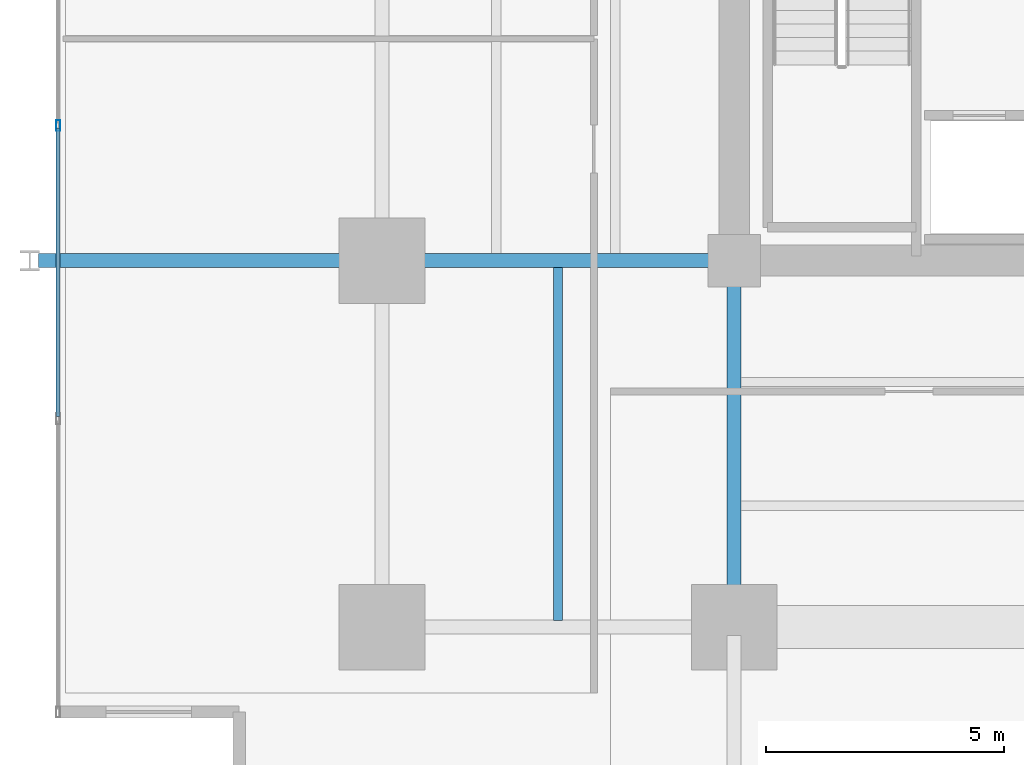
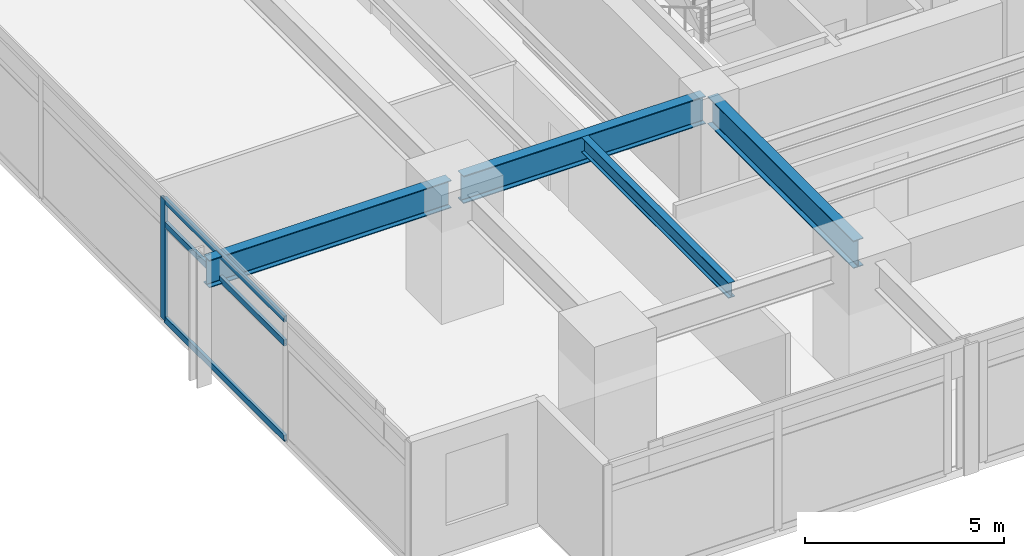
# One storey, part 3 of 20: 4 beams, 4 members, 1 element without a shape of its own.
"""IFC4 building model written with IfcOpenShell, lengths in metres."""

from ifc_helpers import new_model, si_unit, direction, frame, origin, origin_2d, place, context, subcontext, project, spatial, hollow_rectangle, i_section, extrude, material, material_profile, profile_set, type_object, element, aggregate, save


model = new_model("IFC4")

# Units and contexts
model_context = context("Model", 3, precision=1e-05, world=origin(), true_north=direction((0.0, 1.0)))
body_context = subcontext(model_context, "Body", "Model", "MODEL_VIEW")
ifc_project = project(units=[si_unit("LENGTHUNIT", "METRE"), si_unit("AREAUNIT", "SQUARE_METRE"), si_unit("VOLUMEUNIT", "CUBIC_METRE"), si_unit("PLANEANGLEUNIT", "RADIAN"), si_unit("MASSUNIT", "GRAM", prefix="KILO")], contexts=[model_context])

# Site, building, storey
site_placement = place(None, origin())
site = spatial("IfcSite", under=ifc_project, at=site_placement, CompositionType="ELEMENT")
building_placement = place(site_placement, origin())
building = spatial("IfcBuilding", under=site, at=building_placement, Name="Kovane Verandah Tower", CompositionType="ELEMENT")
storey_placement = place(building_placement, frame((0.0, 0.0, 39.60009765625)))
storey = spatial("IfcBuildingStorey", under=building, at=storey_placement, Name="L08", CompositionType="ELEMENT", Elevation=39.60009765625)

# Beams
ifc_material_1 = material(Name="Steel S355", Category="steel")
ifc_material_profile_1 = material_profile(ifc_material_1, i_section(OverallWidth=0.293701171875, OverallDepth=0.850830078125, WebThickness=0.01611328125, FlangeThickness=0.02685546875, FilletRadius=0.017822265625, at=origin_2d()), Name="UB838x292x226")
ifc_profile_set_1 = profile_set([ifc_material_profile_1], Name="Steel S355")
beam_type_1 = type_object("IfcBeamType", Name="BM-UB838x226", PredefinedType="BEAM", material=ifc_profile_set_1)
beam_1_placement = place(storey_placement, frame((28.820068359375, 18.5, 3.33447265625), z_axis=(-1.0, 0.0, 0.0), x_axis=(0.0, -1.0, 0.0)))
element("IfcBeam", 1, at=beam_1_placement, inside=storey, type_object=beam_type_1, Name="L08 Primary Tower Girder G-W1", PredefinedType="BEAM", context=body_context, shape_type="SweptSolid", body=[
    extrude(i_section(OverallWidth=0.293701171875, OverallDepth=0.850830078125, WebThickness=0.01611328125, FlangeThickness=0.02685546875, FilletRadius=0.017822265625, at=origin_2d()), origin(), (0.0, 0.0, 1.0), 7.0400390625),
])
beam_2_placement = place(storey_placement, frame((29.0, 18.320068359375, 3.33447265625), z_axis=(0.0, -1.0, 0.0), x_axis=(1.0, 0.0, 0.0)))
element("IfcBeam", 2, at=beam_2_placement, inside=storey, type_object=beam_type_1, Name="L08 Primary Tower Girder G-S1", PredefinedType="BEAM", context=body_context, shape_type="SweptSolid", body=[
    extrude(i_section(OverallWidth=0.293701171875, OverallDepth=0.850830078125, WebThickness=0.01611328125, FlangeThickness=0.02685546875, FilletRadius=0.017822265625, at=origin_2d()), origin(), (0.0, 0.0, 1.0), 7.340087890625),
])
beam_3_placement = place(storey_placement, frame((21.419921875, 18.5, 3.33447265625), z_axis=(-1.0, 0.0, 0.0), x_axis=(0.0, -1.0, 0.0)))
element("IfcBeam", 3, at=beam_3_placement, inside=storey, type_object=beam_type_1, Name="L08 Primary Tower Girder G-VW1", PredefinedType="BEAM", context=body_context, shape_type="SweptSolid", body=[
    extrude(i_section(OverallWidth=0.293701171875, OverallDepth=0.850830078125, WebThickness=0.01611328125, FlangeThickness=0.02685546875, FilletRadius=0.017822265625, at=origin_2d()), origin(), (0.0, 0.0, 1.0), 7.0400390625),
])

# Curtain wall, members
ifc_material_2 = material(Name="Champagne Anodised Aluminium Frame with Low-E Clear Laminated Glass", Category="aluminium")
curtain_wall_type = type_object("IfcCurtainWallType", Name="CW-SYS-02-LOW", PredefinedType="NOTDEFINED", material=ifc_material_2)
curtain_wall_placement = place(storey_placement, origin())
curtain_wall = element("IfcCurtainWall", 4, at=curtain_wall_placement, inside=storey, type_object=curtain_wall_type, Name="L08 W Unitised Curtain Wall", PredefinedType="NOTDEFINED")
ifc_material_3 = material(Name="Champagne Anodised Aluminium 6063-T6", Category="aluminium")
ifc_material_profile_2 = material_profile(ifc_material_3, hollow_rectangle(XDim=0.0849609375, YDim=0.22998046875, WallThickness=0.00390625, at=origin_2d()), Name="AL85x230x4")
ifc_profile_set_2 = profile_set([ifc_material_profile_2], Name="Champagne Anodised Aluminium 6063-T6")
member_type_1 = type_object("IfcMemberType", Name="CW-MUL-85x230", PredefinedType="MULLION", material=ifc_profile_set_2)
member_1_placement = place(storey_placement, frame((14.796875, 21.33935546875, 0.02001953125), z_axis=(0.0, 0.0, 1.0), x_axis=(-1.0, 0.0, 0.0)))
member_1 = element("IfcMember", 5, at=member_1_placement, type_object=member_type_1, Name="L08 W Unitised Curtain Wall Mullion 5", PredefinedType="MULLION", context=body_context, shape_type="SweptSolid", body=[
    extrude(hollow_rectangle(XDim=0.0849609375, YDim=0.22998046875, WallThickness=0.00390625, at=origin_2d()), origin(), (0.0, 0.0, 1.0), 3.719970703125),
])
ifc_material_profile_3 = material_profile(ifc_material_3, hollow_rectangle(XDim=0.0849609375, YDim=0.18994140625, WallThickness=0.00390625, at=origin_2d()), Name="AL85x190x4")
ifc_profile_set_3 = profile_set([ifc_material_profile_3], Name="Champagne Anodised Aluminium 6063-T6")
member_type_2 = type_object("IfcMemberType", Name="CW-TRN-85x190", PredefinedType="USERDEFINED", material=ifc_profile_set_3)
member_2_placement = place(storey_placement, frame((14.796875, 21.289306640625, 0.0498046875), z_axis=(0.0, -1.0, 0.0), x_axis=(1.0, 0.0, 0.0)))
member_2 = element("IfcMember", 6, at=member_2_placement, type_object=member_type_2, Name="L08 W Unitised Curtain Wall Transom TB Bay 5", ObjectType="TRANSOM", PredefinedType="USERDEFINED", context=body_context, shape_type="SweptSolid", body=[
    extrude(hollow_rectangle(XDim=0.0849609375, YDim=0.18994140625, WallThickness=0.00390625, at=origin_2d()), origin(), (0.0, 0.0, 1.0), 6.060791015625),
])
member_3_placement = place(storey_placement, frame((14.796875, 21.289306640625, 2.97998046875), z_axis=(0.0, -1.0, 0.0), x_axis=(1.0, 0.0, 0.0)))
member_3 = element("IfcMember", 7, at=member_3_placement, type_object=member_type_2, Name="L08 W Unitised Curtain Wall Transom TM Bay 5", ObjectType="TRANSOM", PredefinedType="USERDEFINED", context=body_context, shape_type="SweptSolid", body=[
    extrude(hollow_rectangle(XDim=0.0849609375, YDim=0.18994140625, WallThickness=0.00390625, at=origin_2d()), origin(), (0.0, 0.0, 1.0), 6.060791015625),
])
member_4_placement = place(storey_placement, frame((14.796875, 21.289306640625, 3.7099609375), z_axis=(0.0, -1.0, 0.0), x_axis=(1.0, 0.0, 0.0)))
member_4 = element("IfcMember", 8, at=member_4_placement, type_object=member_type_2, Name="L08 W Unitised Curtain Wall Transom TT Bay 5", ObjectType="TRANSOM", PredefinedType="USERDEFINED", context=body_context, shape_type="SweptSolid", body=[
    extrude(hollow_rectangle(XDim=0.0849609375, YDim=0.18994140625, WallThickness=0.00390625, at=origin_2d()), origin(), (0.0, 0.0, 1.0), 6.060791015625),
])
aggregate(curtain_wall, [member_1, member_2, member_3, member_4])

# Beam
ifc_material_profile_4 = material_profile(ifc_material_1, i_section(OverallWidth=0.19287109375, OverallDepth=0.46728515625, WebThickness=0.011474609375, FlangeThickness=0.01953125, FilletRadius=0.01025390625, at=origin_2d()), Name="UB457x191x98")
ifc_profile_set_4 = profile_set([ifc_material_profile_4], Name="Steel S355")
beam_type_2 = type_object("IfcBeamType", Name="JST-UB457x98", PredefinedType="JOIST", material=ifc_profile_set_4)
beam_4_placement = place(storey_placement, frame((25.300048828125, 10.94482421875, 3.5263671875), z_axis=(0.0, 1.0, 0.0), x_axis=(-1.0, 0.0, 0.0)))
element("IfcBeam", 9, at=beam_4_placement, inside=storey, type_object=beam_type_2, Name="L08 Secondary Composite Joist J-SW1", PredefinedType="JOIST", context=body_context, shape_type="SweptSolid", body=[
    extrude(i_section(OverallWidth=0.19287109375, OverallDepth=0.46728515625, WebThickness=0.011474609375, FlangeThickness=0.01953125, FilletRadius=0.01025390625, at=origin_2d()), origin(), (0.0, 0.0, 1.0), 7.41015625),
])

save(model, "model.ifc")
